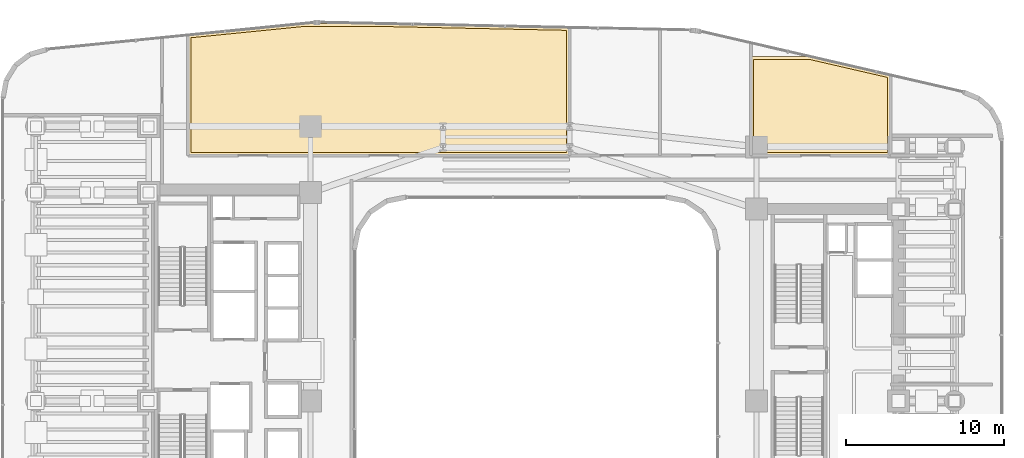
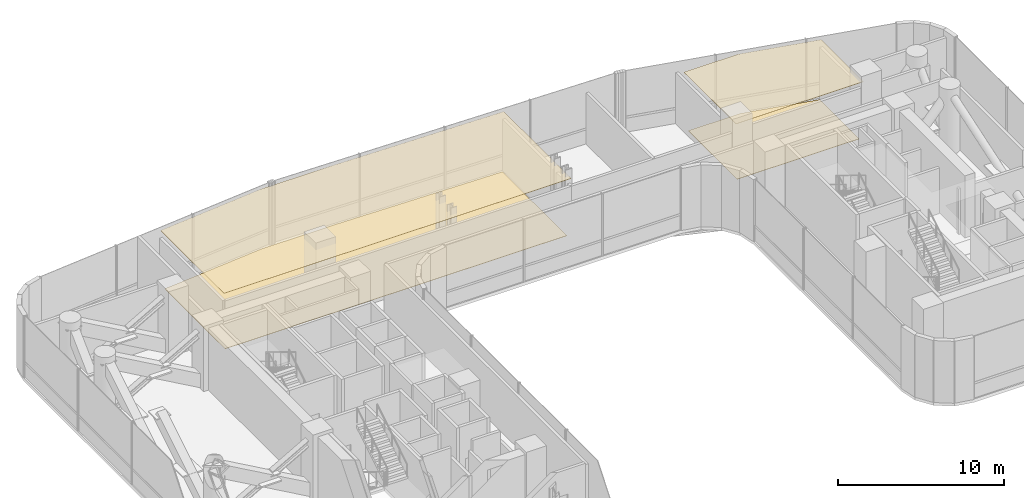
# One storey, part 39 of 39: 4 coverings.
"""IFC4 building model written with IfcOpenShell, lengths in metres."""

import ifcopenshell
import ifcopenshell.guid

model = None  # the IFC model being written
_history = None  # IfcOwnerHistory: only IFC2X3 demands one
_inside = {}  # id of a spatial element -> (the spatial element, [elements in it])
_under = {}  # id of a project, library or spatial element -> (it, [spatial elements below it])
_declared = {}  # id of a project -> (the project, [libraries it declares])
_typed = {}  # id of a type object -> (the type object, [elements of that type])
_made_of = {}  # id of a material, layer set ... -> (it, [elements and type objects made of it])


def new_model(schema):
    """Start an empty IFC model of exactly this schema.

    Asked for "IFC4X3", IfcOpenShell would pick the latest addendum, in which some entities
    have other attributes; the version numbers below select the first issue.
    IFC2X3 requires an IfcOwnerHistory on every rooted entity: one is made here for all.
    """
    global model, _history
    if schema == "IFC4X3":
        model = ifcopenshell.file(schema_version=(4, 3, 0, 0))
    else:
        model = ifcopenshell.file(schema=schema)
    _inside.clear()
    _under.clear()
    _declared.clear()
    _typed.clear()
    _made_of.clear()
    _history = None
    if model.schema == "IFC2X3":
        org = make("IfcOrganization", Name="unknown")
        user = make(
            "IfcPersonAndOrganization",
            ThePerson=make("IfcPerson", FamilyName="unknown"),
            TheOrganization=org,
        )
        app = make(
            "IfcApplication",
            ApplicationDeveloper=org,
            Version="unknown",
            ApplicationFullName="unknown",
            ApplicationIdentifier="unknown",
        )
        _history = make(
            "IfcOwnerHistory",
            OwningUser=user,
            OwningApplication=app,
            ChangeAction="ADDED",
            CreationDate=0,
        )
    return model


def make(cls, **values):
    """One entity of the class cls with the attributes given. An attribute that is None is left unset."""
    return model.create_entity(
        cls, **{name: value for name, value in values.items() if value is not None}
    )


def rooted(cls, **values):
    """An entity with a GlobalId (a new one), such as an element, a storey or a relation."""
    return make(cls, GlobalId=ifcopenshell.guid.new(), OwnerHistory=_history, **values)


def si_unit(unit_type, name, prefix=None):
    """IfcSIUnit, for example si_unit("LENGTHUNIT", "METRE", prefix="MILLI")."""
    return make("IfcSIUnit", UnitType=unit_type, Prefix=prefix, Name=name)


def assignment(units):
    """IfcUnitAssignment: the units of a project."""
    return None if units is None else make("IfcUnitAssignment", Units=units)


def point(xyz):
    """IfcCartesianPoint."""
    return None if xyz is None else make("IfcCartesianPoint", Coordinates=xyz)


def direction(xyz):
    """IfcDirection."""
    return None if xyz is None else make("IfcDirection", DirectionRatios=xyz)


def frame(location, z_axis=None, x_axis=None):
    """IfcAxis2Placement3D, a coordinate frame: its origin and axes. An axis left out is left unset."""
    return make(
        "IfcAxis2Placement3D",
        Location=point(location),
        Axis=direction(z_axis),
        RefDirection=direction(x_axis),
    )


def origin():
    """The frame at (0, 0, 0) with its axes left unset."""
    return frame((0.0, 0.0, 0.0))


def place(relative_to, where):
    """IfcLocalPlacement: puts the frame where relative to a parent placement (None: the world)."""
    return make(
        "IfcLocalPlacement", PlacementRelTo=relative_to, RelativePlacement=where
    )


def context(
    kind, dimensions, precision=None, world=None, true_north=None, identifier=None
):
    """IfcGeometricRepresentationContext, for example the 3D "Model" context."""
    return make(
        "IfcGeometricRepresentationContext",
        ContextIdentifier=identifier,
        ContextType=kind,
        CoordinateSpaceDimension=dimensions,
        Precision=precision,
        WorldCoordinateSystem=world,
        TrueNorth=true_north,
    )


def subcontext(parent, identifier, kind, view, scale=None):
    """IfcGeometricRepresentationSubContext, for example "Body" below "Model"."""
    return make(
        "IfcGeometricRepresentationSubContext",
        ContextIdentifier=identifier,
        ContextType=kind,
        ParentContext=parent,
        TargetScale=scale,
        TargetView=view,
    )


def project(units=None, contexts=None):
    """IfcProject with its units and contexts."""
    return rooted(
        "IfcProject",
        Name="project",
        RepresentationContexts=contexts,
        UnitsInContext=assignment(units),
    )


def spatial(cls, under=None, at=None, **own):
    """A site, building, storey or space (cls), placed at a placement, below another one or the project."""
    s = rooted(cls, ObjectPlacement=at, **own)
    if under is not None:
        _under.setdefault(under.id(), (under, []))[1].append(s)
    return s


def polyline(points):
    """IfcPolyline through the points."""
    return make("IfcPolyline", Points=[point(p) for p in points])


def outline(outer, holes=None, kind="AREA"):
    """IfcArbitraryClosedProfileDef: a profile drawn as a closed curve; with holes, ...WithVoids."""
    if holes is None:
        return make("IfcArbitraryClosedProfileDef", ProfileType=kind, OuterCurve=outer)
    return make(
        "IfcArbitraryProfileDefWithVoids",
        ProfileType=kind,
        OuterCurve=outer,
        InnerCurves=holes,
    )


def extrude(swept, where, along, depth):
    """IfcExtrudedAreaSolid: the profile swept, set in the frame where, extruded along a direction by depth."""
    return make(
        "IfcExtrudedAreaSolid",
        SweptArea=swept,
        Position=where,
        ExtrudedDirection=direction(along),
        Depth=depth,
    )


def shape(context_of_items, identifier, shape_type, items):
    """IfcShapeRepresentation: the items that make up one representation, for example the "Body"."""
    return make(
        "IfcShapeRepresentation",
        ContextOfItems=context_of_items,
        RepresentationIdentifier=identifier,
        RepresentationType=shape_type,
        Items=items,
    )


def material(Name=None, Category=None):
    """IfcMaterial."""
    return make("IfcMaterial", Name=Name, Category=Category)


def layer(
    of_material, thickness, ventilated=None, Name=None, Category=None, Priority=None
):
    """IfcMaterialLayer: one layer of a wall or slab, of a material (None: an air gap)."""
    return make(
        "IfcMaterialLayer",
        Material=of_material,
        LayerThickness=thickness,
        IsVentilated=ventilated,
        Name=Name,
        Category=Category,
        Priority=Priority,
    )


def layer_set(layers, Name=None):
    """IfcMaterialLayerSet."""
    return make("IfcMaterialLayerSet", MaterialLayers=layers, LayerSetName=Name)


def made_of(thing, what):
    """Note that an element or type object is made of a material, layer set ...; save() writes the relation."""
    if what is not None:
        _made_of.setdefault(what.id(), (what, []))[1].append(thing)
    return thing


def type_object(cls, material=None, **own):
    """A type object (cls), such as IfcWallType, which elements share."""
    return made_of(rooted(cls, **own), material)


def element(
    cls,
    number,
    at=None,
    inside=None,
    cuts=None,
    type_object=None,
    material=None,
    context=None,
    identifier="Body",
    shape_type=None,
    held_by="IfcProductDefinitionShape",
    body=None,
    shapes=None,
    **own,
):
    """One element of the class cls, such as IfcWall. Its Tag is "e" and its number.

    at: its placement. inside: the storey or other place that contains it. cuts: it is an
    opening in that element (IfcRelVoidsElement). A single representation is given by context,
    identifier, shape_type and body (its items); several are given by shapes. held_by: the class
    of the entity that holds the representations. save() writes the other relations.
    """
    e = rooted(cls, Tag="e%d" % number, ObjectPlacement=at, **own)
    if body is not None:
        shapes = [shape(context, identifier, shape_type, body)]
    if shapes is not None:
        e.Representation = make(held_by, Representations=shapes)
    if inside is not None:
        _inside.setdefault(inside.id(), (inside, []))[1].append(e)
    if cuts is not None:
        rooted(
            "IfcRelVoidsElement", RelatingBuildingElement=cuts, RelatedOpeningElement=e
        )
    if type_object is not None:
        _typed.setdefault(type_object.id(), (type_object, []))[1].append(e)
    return made_of(e, material)


def aggregate(whole, parts):
    """IfcRelAggregates: a whole, such as a stair, and the parts it consists of."""
    return rooted("IfcRelAggregates", RelatingObject=whole, RelatedObjects=parts)


def save(model, path):
    """Write the relations noted so far, then the file.

    IfcRelAggregates (storeys below a building ...), IfcRelContainedInSpatialStructure (elements
    in a storey), IfcRelDefinesByType, IfcRelAssociatesMaterial and IfcRelDeclares: one each for
    every whole, place, type object, material and project.
    """
    for whole, parts in _under.values():
        aggregate(whole, parts)
    for where, things in _inside.values():
        rooted(
            "IfcRelContainedInSpatialStructure",
            RelatedElements=things,
            RelatingStructure=where,
        )
    for kind, things in _typed.values():
        rooted("IfcRelDefinesByType", RelatedObjects=things, RelatingType=kind)
    for what, things in _made_of.values():
        rooted("IfcRelAssociatesMaterial", RelatedObjects=things, RelatingMaterial=what)
    for by, libraries in _declared.values():
        rooted("IfcRelDeclares", RelatingContext=by, RelatedDefinitions=libraries)
    model.write(path)


model = new_model("IFC4")

# Units and contexts
model_context = context("Model", 3, precision=1e-05, world=origin(), true_north=direction((0.0, 1.0)))
body_context = subcontext(model_context, "Body", "Model", "MODEL_VIEW")
ifc_project = project(units=[si_unit("LENGTHUNIT", "METRE"), si_unit("AREAUNIT", "SQUARE_METRE"), si_unit("VOLUMEUNIT", "CUBIC_METRE"), si_unit("PLANEANGLEUNIT", "RADIAN"), si_unit("MASSUNIT", "GRAM", prefix="KILO")], contexts=[model_context])

# Site, building, storey
site_placement = place(None, origin())
site = spatial("IfcSite", under=ifc_project, at=site_placement, CompositionType="ELEMENT")
building_placement = place(site_placement, origin())
building = spatial("IfcBuilding", under=site, at=building_placement, Name="Valdorenza Pilgrim Sanctuary Tower", CompositionType="ELEMENT")
storey_placement = place(building_placement, frame((0.0, 0.0, 96.300048828125)))
storey = spatial("IfcBuildingStorey", under=building, at=storey_placement, Name="L24", CompositionType="ELEMENT", Elevation=96.300048828125)

# Coverings
ifc_material_1 = material(Name="Micro-perforated acoustic mineral ceiling tile", Category="gypsum")
ifc_layer_1 = layer(ifc_material_1, 0.02490234375, Name="Micro-perforated acoustic mineral ceiling tile")
ifc_layer_set_1 = layer_set([ifc_layer_1], Name="Micro-perforated acoustic mineral ceiling tile")
covering_type_1 = type_object("IfcCoveringType", Name="COV-CLG-ACU", PredefinedType="CEILING", material=ifc_layer_set_1)
covering_1_placement = place(storey_placement, frame((0.0, 0.0, 4.260009765625)))
element("IfcCovering", 1, at=covering_1_placement, inside=storey, type_object=covering_type_1, Name="L24 Primary Smokeproof Refuge Area Acoustic Ceiling", PredefinedType="CEILING", context=body_context, shape_type="SweptSolid", body=[
    extrude(outline(polyline([(-20.14990234375, 12.93505859375), (-20.151611328125, 12.93505859375), (-20.15283203125, 12.935302734375), (-20.154296875, 12.935546875), (-20.15576171875, 12.93603515625), (-20.156982421875, 12.936767578125), (-20.158203125, 12.9375), (-20.159423828125, 12.9384765625), (-20.16064453125, 12.939453125), (-20.16162109375, 12.9404296875), (-20.16259765625, 12.941650390625), (-20.1630859375, 12.94287109375), (-20.163818359375, 12.9443359375), (-20.164306640625, 12.945556640625), (-20.164794921875, 12.947021484375), (-20.164794921875, 12.948486328125), (-20.1650390625, 12.949951171875), (-20.1650390625, 20.574462890625), (-20.164794921875, 20.575927734375), (-20.164794921875, 20.577392578125), (-20.164306640625, 20.578857421875), (-20.163818359375, 20.580078125), (-20.1630859375, 20.58154296875), (-20.16259765625, 20.582763671875), (-20.16162109375, 20.583984375), (-20.16064453125, 20.585205078125), (-20.159423828125, 20.586181640625), (-20.158203125, 20.5869140625), (-20.156982421875, 20.587646484375), (-20.15576171875, 20.58837890625), (-20.154296875, 20.5888671875), (-20.15283203125, 20.589111328125), (-20.151611328125, 20.58935546875), (-12.89599609375, 21.31494140625), (-12.89453125, 21.31494140625), (-7.68017578125, 21.31494140625), (-7.679931640625, 21.31494140625), (4.000244140625, 21.07177734375), (4.001708984375, 21.071533203125), (4.003173828125, 21.0712890625), (4.004638671875, 21.07080078125), (4.006103515625, 21.0703125), (4.00732421875, 21.06982421875), (4.008544921875, 21.069091796875), (4.009765625, 21.068115234375), (4.0107421875, 21.067138671875), (4.01171875, 21.066162109375), (4.012451171875, 21.06494140625), (4.01318359375, 21.063720703125), (4.013916015625, 21.062255859375), (4.014404296875, 21.06103515625), (4.0146484375, 21.0595703125), (4.014892578125, 21.05810546875), (4.014892578125, 21.056640625), (4.014892578125, 12.949951171875), (4.014892578125, 12.948486328125), (4.0146484375, 12.947021484375), (4.014404296875, 12.945556640625), (4.013916015625, 12.9443359375), (4.01318359375, 12.94287109375), (4.012451171875, 12.941650390625), (4.01171875, 12.9404296875), (4.010498046875, 12.939453125), (4.009521484375, 12.9384765625), (4.00830078125, 12.9375), (4.007080078125, 12.936767578125), (4.005615234375, 12.93603515625), (4.00439453125, 12.935546875), (4.0029296875, 12.935302734375), (4.00146484375, 12.93505859375), (4.0, 12.93505859375), (-20.14990234375, 12.93505859375)])), origin(), (0.0, 0.0, 1.0), 0.02490234375),
])
covering_2_placement = place(storey_placement, frame((0.0, 0.0, 4.260009765625)))
element("IfcCovering", 2, at=covering_2_placement, inside=storey, type_object=covering_type_1, Name="L24 East Smokeproof Refuge Area Acoustic Ceiling", PredefinedType="CEILING", context=body_context, shape_type="SweptSolid", body=[
    extrude(outline(polyline([(15.501953125, 12.93505859375), (15.50048828125, 12.93505859375), (15.4990234375, 12.935302734375), (15.49755859375, 12.935546875), (15.496337890625, 12.93603515625), (15.494873046875, 12.936767578125), (15.49365234375, 12.9375), (15.492431640625, 12.9384765625), (15.491455078125, 12.939453125), (15.490478515625, 12.9404296875), (15.489501953125, 12.941650390625), (15.48876953125, 12.94287109375), (15.488037109375, 12.9443359375), (15.487548828125, 12.945556640625), (15.4873046875, 12.947021484375), (15.487060546875, 12.948486328125), (15.487060546875, 12.949951171875), (15.487060546875, 19.199951171875), (15.487060546875, 19.201416015625), (15.4873046875, 19.202880859375), (15.487548828125, 19.204345703125), (15.488037109375, 19.205810546875), (15.48876953125, 19.20703125), (15.489501953125, 19.208251953125), (15.490478515625, 19.20947265625), (15.491455078125, 19.210693359375), (15.492431640625, 19.211669921875), (15.49365234375, 19.21240234375), (15.494873046875, 19.213134765625), (15.496337890625, 19.2138671875), (15.49755859375, 19.21435546875), (15.4990234375, 19.214599609375), (15.50048828125, 19.21484375), (15.501953125, 19.215087890625), (19.310791015625, 19.215087890625), (19.3125, 19.21484375), (19.314208984375, 19.214599609375), (24.353515625, 18.0517578125), (24.354736328125, 18.05126953125), (24.356201171875, 18.05078125), (24.357421875, 18.05029296875), (24.358642578125, 18.04931640625), (24.359619140625, 18.048583984375), (24.36083984375, 18.047607421875), (24.36181640625, 18.04638671875), (24.362548828125, 18.04541015625), (24.36328125, 18.0439453125), (24.364013671875, 18.042724609375), (24.364501953125, 18.04150390625), (24.36474609375, 18.0400390625), (24.364990234375, 18.03857421875), (24.364990234375, 18.037109375), (24.364990234375, 12.949951171875), (24.364990234375, 12.948486328125), (24.36474609375, 12.947021484375), (24.364501953125, 12.945556640625), (24.364013671875, 12.9443359375), (24.36328125, 12.94287109375), (24.362548828125, 12.941650390625), (24.361572265625, 12.9404296875), (24.360595703125, 12.939453125), (24.359619140625, 12.9384765625), (24.3583984375, 12.9375), (24.357177734375, 12.936767578125), (24.355712890625, 12.93603515625), (24.3544921875, 12.935546875), (24.352783203125, 12.935302734375), (24.3515625, 12.93505859375), (24.35009765625, 12.93505859375), (15.501953125, 12.93505859375)])), origin(), (0.0, 0.0, 1.0), 0.02490234375),
])
ifc_material_2 = material(Name="Honed travertine stone flooring", Category="masonry")
ifc_layer_2 = layer(ifc_material_2, 0.030029296875, Name="Honed travertine stone flooring")
ifc_layer_set_2 = layer_set([ifc_layer_2], Name="Honed travertine stone flooring")
covering_type_2 = type_object("IfcCoveringType", Name="COV-FLR-TRV", PredefinedType="FLOORING", material=ifc_layer_set_2)
covering_3_placement = place(storey_placement, origin())
element("IfcCovering", 3, at=covering_3_placement, inside=storey, type_object=covering_type_2, Name="L24 Primary Smokeproof Refuge Area Flooring", PredefinedType="FLOORING", context=body_context, shape_type="SweptSolid", body=[
    extrude(outline(polyline([(-19.969970703125, 13.1298828125), (-19.969970703125, 20.41162109375), (-12.885498046875, 21.1201171875), (-7.68212890625, 21.1201171875), (3.820068359375, 20.88037109375), (3.820068359375, 13.1298828125), (-19.969970703125, 13.1298828125)])), origin(), (0.0, 0.0, 1.0), 0.02490234375),
])
covering_4_placement = place(storey_placement, origin())
element("IfcCovering", 4, at=covering_4_placement, inside=storey, type_object=covering_type_2, Name="L24 East Smokeproof Refuge Area Flooring", PredefinedType="FLOORING", context=body_context, shape_type="SweptSolid", body=[
    extrude(outline(polyline([(15.681884765625, 13.1298828125), (15.681884765625, 19.02001953125), (19.290283203125, 19.02001953125), (24.169921875, 17.893798828125), (24.169921875, 13.1298828125), (15.681884765625, 13.1298828125)])), origin(), (0.0, 0.0, 1.0), 0.02490234375),
])

save(model, "model.ifc")
